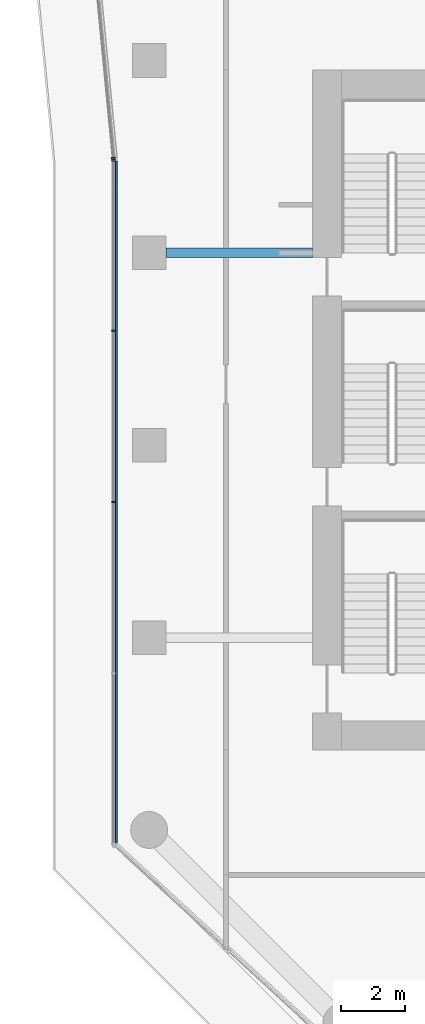
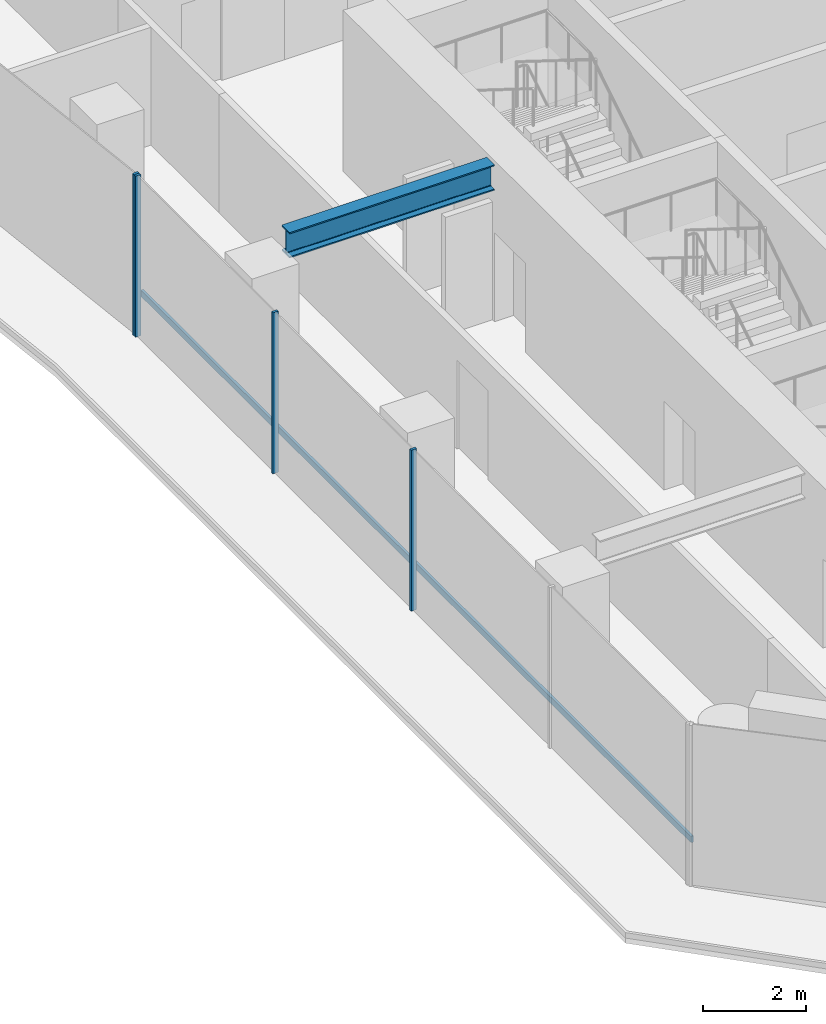
# One storey, part 4 of 30: 5 members, 1 beam, 2 elements without a shape of their own.
"""IFC4 building model written with IfcOpenShell, lengths in metres."""

from ifc_helpers import new_model, si_unit, direction, frame, origin, origin_2d, place, context, subcontext, project, spatial, rectangle, i_section, extrude, material, layer, layer_set, material_profile, profile_set, type_object, element, aggregate, save


model = new_model("IFC4")

# Units and contexts
model_context = context("Model", 3, precision=1e-05, world=origin(), true_north=direction((0.0, 1.0)))
body_context = subcontext(model_context, "Body", "Model", "MODEL_VIEW")
ifc_project = project(units=[si_unit("LENGTHUNIT", "METRE"), si_unit("AREAUNIT", "SQUARE_METRE"), si_unit("VOLUMEUNIT", "CUBIC_METRE"), si_unit("PLANEANGLEUNIT", "RADIAN"), si_unit("MASSUNIT", "GRAM", prefix="KILO")], contexts=[model_context])

# Site, building, storey
site_placement = place(None, origin())
site = spatial("IfcSite", under=ifc_project, at=site_placement, CompositionType="ELEMENT")
building_placement = place(site_placement, origin())
building = spatial("IfcBuilding", under=site, at=building_placement, Name="Welwitschia Terrace Campus", CompositionType="ELEMENT")
storey_placement = place(building_placement, frame((0.0, 0.0, 75.199951171875)))
storey = spatial("IfcBuildingStorey", under=building, at=storey_placement, Name="L17", CompositionType="ELEMENT", Elevation=75.199951171875)

# Curtain wall, member
ifc_material_1 = material(Name="Bronze anodised aluminium", Category="aluminium")
ifc_layer = layer(ifc_material_1, 0.1201171875)
ifc_layer_set = layer_set([ifc_layer], Name="Bronze anodised aluminium")
curtain_wall_type = type_object("IfcCurtainWallType", Name="Curtain wall CW2 tower 6000", PredefinedType="NOTDEFINED", material=ifc_layer_set)
curtain_wall_1_placement = place(storey_placement, origin())
curtain_wall_1 = element("IfcCurtainWall", 1, at=curtain_wall_1_placement, inside=storey, type_object=curtain_wall_type, Name="CW L17.16.0", PredefinedType="NOTDEFINED")
ifc_material_2 = material(Name="Bronze anodised aluminium", Category="aluminium")
ifc_material_profile_1 = material_profile(ifc_material_2, rectangle(XDim=0.1201171875, YDim=0.06005859375, at=origin_2d()))
ifc_profile_set_1 = profile_set([ifc_material_profile_1], Name="Bronze anodised aluminium")
member_type_1 = type_object("IfcMemberType", Name="Mullion 60x120", PredefinedType="MULLION", material=ifc_profile_set_1)
member_1_placement = place(storey_placement, frame((-1.116943359375, 22.95166015625, 0.0), z_axis=(0.0, 0.0, 1.0), x_axis=(0.995396198367, 0.09584575252, 0.0)))
member_1 = element("IfcMember", 2, at=member_1_placement, type_object=member_type_1, Name="Mullion L17.16.0.6", PredefinedType="MULLION", context=body_context, shape_type="SweptSolid", body=[
    extrude(rectangle(XDim=0.1201171875, YDim=0.06005859375, at=origin_2d()), origin(), (0.0, 0.0, 1.0), 3.800048828125),
])
aggregate(curtain_wall_1, [member_1])

# Curtain wall, members
curtain_wall_2_placement = place(storey_placement, origin())
curtain_wall_2 = element("IfcCurtainWall", 3, at=curtain_wall_2_placement, inside=storey, type_object=curtain_wall_type, Name="CW L17.17.0", PredefinedType="NOTDEFINED")
member_2_placement = place(storey_placement, frame((-1.114013671875, 22.891845703125, 0.0), z_axis=(0.0, 0.0, 1.0), x_axis=(1.0, 0.0, 0.0)))
member_2 = element("IfcMember", 4, at=member_2_placement, type_object=member_type_1, Name="Mullion L17.17.0.0", PredefinedType="MULLION", context=body_context, shape_type="SweptSolid", body=[
    extrude(rectangle(XDim=0.1201171875, YDim=0.06005859375, at=origin_2d()), origin(), (0.0, 0.0, 1.0), 3.800048828125),
])
member_3_placement = place(storey_placement, frame((-1.114013671875, 17.575927734375, 0.0), z_axis=(0.0, 0.0, 1.0), x_axis=(1.0, 0.0, 0.0)))
member_3 = element("IfcMember", 5, at=member_3_placement, type_object=member_type_1, Name="Mullion L17.17.0.1", PredefinedType="MULLION", context=body_context, shape_type="SweptSolid", body=[
    extrude(rectangle(XDim=0.1201171875, YDim=0.06005859375, at=origin_2d()), origin(), (0.0, 0.0, 1.0), 3.800048828125),
])
member_4_placement = place(storey_placement, frame((-1.114013671875, 12.230224609375, 0.0), z_axis=(0.0, 0.0, 1.0), x_axis=(1.0, 0.0, 0.0)))
member_4 = element("IfcMember", 6, at=member_4_placement, type_object=member_type_1, Name="Mullion L17.17.0.2", PredefinedType="MULLION", context=body_context, shape_type="SweptSolid", body=[
    extrude(rectangle(XDim=0.1201171875, YDim=0.06005859375, at=origin_2d()), origin(), (0.0, 0.0, 1.0), 3.800048828125),
])

# Beam
ifc_material_3 = material(Name="Steel S355", Category="steel")
ifc_material_profile_2 = material_profile(ifc_material_3, i_section(OverallWidth=0.300048828125, OverallDepth=0.60009765625, WebThickness=0.015380859375, FlangeThickness=0.030029296875, FilletRadius=0.027099609375, at=origin_2d()))
ifc_profile_set_2 = profile_set([ifc_material_profile_2], Name="Steel S355")
beam_type = type_object("IfcBeamType", Name="Primary beam HE 600 B", PredefinedType="BEAM", material=ifc_profile_set_2)
beam_placement = place(storey_placement, frame((0.525390625, 20.0, 3.400146484375), z_axis=(1.0, 0.0, 0.0), x_axis=(0.0, 1.0, 0.0)))
element("IfcBeam", 7, at=beam_placement, inside=storey, type_object=beam_type, Name="Primary beam PB2", PredefinedType="BEAM", context=body_context, shape_type="SweptSolid", body=[
    extrude(i_section(OverallWidth=0.300048828125, OverallDepth=0.60009765625, WebThickness=0.015380859375, FlangeThickness=0.030029296875, FilletRadius=0.027099609375, at=origin_2d()), origin(), (0.0, 0.0, 1.0), 4.57470703125),
])

# Member
ifc_material_4 = material(Name="Bronze anodised aluminium", Category="aluminium")
ifc_material_profile_3 = material_profile(ifc_material_4, rectangle(XDim=0.06005859375, YDim=0.14990234375, at=origin_2d()))
ifc_profile_set_3 = profile_set([ifc_material_profile_3], Name="Bronze anodised aluminium")
member_type_2 = type_object("IfcMemberType", Name="Transom 60x150", PredefinedType="USERDEFINED", material=ifc_profile_set_3)
member_5_placement = place(storey_placement, frame((-1.02392578125, 22.86181640625, 1.0), z_axis=(0.0, -1.0, 0.0), x_axis=(1.0, 0.0, 0.0)))
member_5 = element("IfcMember", 8, at=member_5_placement, type_object=member_type_2, Name="Transom L17.17.0", ObjectType="TRANSOM", PredefinedType="USERDEFINED", context=body_context, shape_type="SweptSolid", body=[
    extrude(rectangle(XDim=0.06005859375, YDim=0.14990234375, at=origin_2d()), origin(), (0.0, 0.0, 1.0), 21.26318359375),
])

aggregate(curtain_wall_2, [member_2, member_3, member_4, member_5])

save(model, "model.ifc")
